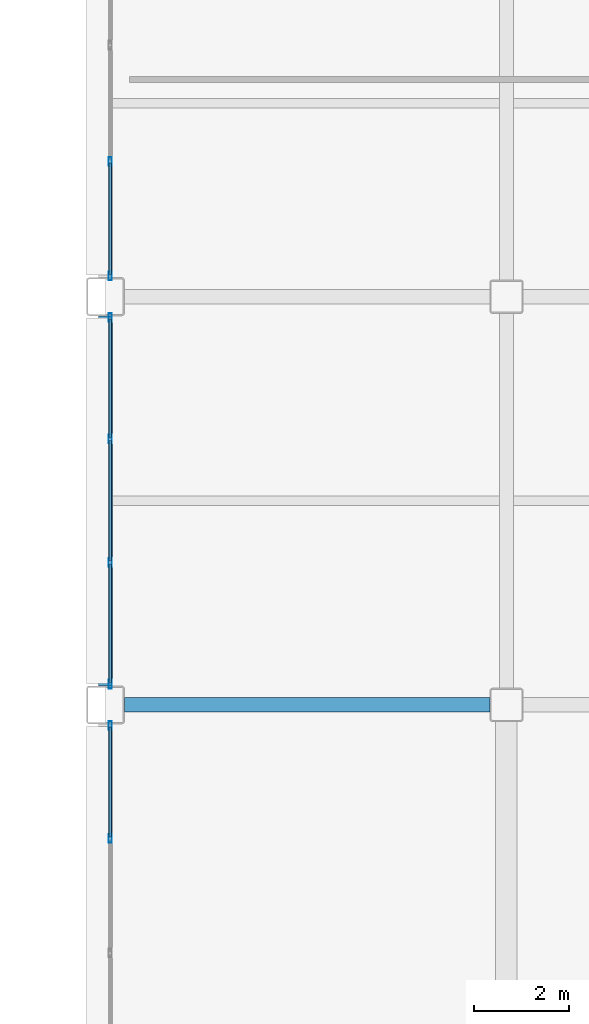
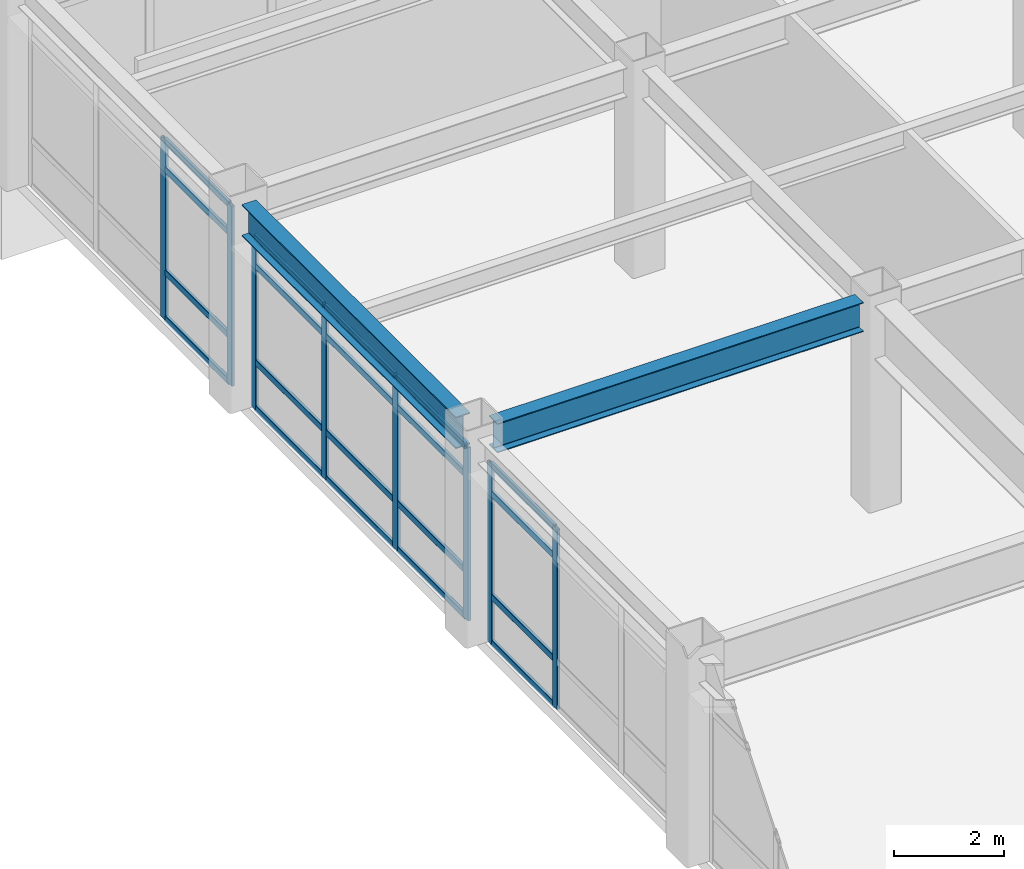
# One storey, part 117 of 172: 28 members, 2 beams, 3 elements without a shape of their own.
"""IFC4 building model written with IfcOpenShell, lengths in metres."""

from ifc_helpers import new_model, si_unit, direction, frame, origin, origin_2d, place, context, subcontext, project, spatial, hollow_rectangle, i_section, extrude, material, layer, layer_set, material_profile, profile_set, type_object, element, aggregate, save


model = new_model("IFC4")

# Units and contexts
model_context = context("Model", 3, precision=1e-05, world=origin(), true_north=direction((0.0, 1.0)))
body_context = subcontext(model_context, "Body", "Model", "MODEL_VIEW")
ifc_project = project(units=[si_unit("LENGTHUNIT", "METRE"), si_unit("AREAUNIT", "SQUARE_METRE"), si_unit("VOLUMEUNIT", "CUBIC_METRE"), si_unit("PLANEANGLEUNIT", "RADIAN"), si_unit("MASSUNIT", "GRAM", prefix="KILO")], contexts=[model_context])

# Site, building, storey
site_placement = place(None, origin())
site = spatial("IfcSite", under=ifc_project, at=site_placement, CompositionType="ELEMENT")
building_placement = place(site_placement, origin())
building = spatial("IfcBuilding", under=site, at=building_placement, Name="Kazehara Bluff Congress Hotel", CompositionType="ELEMENT")
storey_placement = place(building_placement, frame((0.0, 0.0, 5.39990234375)))
storey = spatial("IfcBuildingStorey", under=building, at=storey_placement, Name="L01", CompositionType="ELEMENT", Elevation=5.39990234375)

# Curtain wall, members
ifc_material_1 = material(Name="Anodised aluminium", Category="aluminium")
ifc_layer_1 = layer(ifc_material_1, 0.159912109375)
ifc_layer_set_1 = layer_set([ifc_layer_1], Name="Anodised aluminium")
curtain_wall_type_1 = type_object("IfcCurtainWallType", Name="TP-CW-120", PredefinedType="NOTDEFINED", material=ifc_layer_set_1)
curtain_wall_1_placement = place(storey_placement, origin())
curtain_wall_1 = element("IfcCurtainWall", 1, at=curtain_wall_1_placement, inside=storey, type_object=curtain_wall_type_1, Name="L01 curtain wall CW-120 CW-ENC-V5-L01-14380-9290", PredefinedType="NOTDEFINED")
ifc_material_2 = material(Name="Anodised aluminium", Category="aluminium")
ifc_material_profile_1 = material_profile(ifc_material_2, hollow_rectangle(XDim=0.06494140625, YDim=0.179931640625, WallThickness=0.00390625, InnerFilletRadius=0.00390625, OuterFilletRadius=0.008056640625, at=origin_2d()))
ifc_profile_set_1 = profile_set([ifc_material_profile_1], Name="Anodised aluminium")
member_type_1 = type_object("IfcMemberType", Name="TP-CWM-02", PredefinedType="MULLION", material=ifc_profile_set_1)
member_1_placement = place(storey_placement, frame((143.800048828125, 94.10009765625, 0.0), z_axis=(0.0, 0.0, 1.0), x_axis=(-1.0, 0.0, 0.0)))
member_1 = element("IfcMember", 2, at=member_1_placement, type_object=member_type_1, Name="CW-120 mullion 3", PredefinedType="MULLION", context=body_context, shape_type="SweptSolid", body=[
    extrude(hollow_rectangle(XDim=0.06494140625, YDim=0.179931640625, WallThickness=0.00390625, InnerFilletRadius=0.00390625, OuterFilletRadius=0.008056640625, at=origin_2d()), origin(), (0.0, 0.0, 1.0), 3.97509765625),
])
member_2_placement = place(storey_placement, frame((143.800048828125, 96.467529296875, 0.0), z_axis=(0.0, 0.0, 1.0), x_axis=(-1.0, 0.0, 0.0)))
member_2 = element("IfcMember", 3, at=member_2_placement, type_object=member_type_1, Name="CW-120 mullion 4", PredefinedType="MULLION", context=body_context, shape_type="SweptSolid", body=[
    extrude(hollow_rectangle(XDim=0.06494140625, YDim=0.179931640625, WallThickness=0.00390625, InnerFilletRadius=0.00390625, OuterFilletRadius=0.008056640625, at=origin_2d()), origin(), (0.0, 0.0, 1.0), 3.97509765625),
])

ifc_material_3 = material(Name="Anodised aluminium", Category="aluminium")
ifc_layer_2 = layer(ifc_material_3, 0.159912109375)
ifc_layer_set_2 = layer_set([ifc_layer_2], Name="Anodised aluminium")
curtain_wall_type_2 = type_object("IfcCurtainWallType", Name="TP-CW-123", PredefinedType="NOTDEFINED", material=ifc_layer_set_2)
curtain_wall_2_placement = place(storey_placement, origin())
curtain_wall_2 = element("IfcCurtainWall", 4, at=curtain_wall_2_placement, inside=storey, type_object=curtain_wall_type_2, Name="L01 curtain wall CW-123 CW-ENC-V5-L01-14380-10118", PredefinedType="NOTDEFINED")
member_3_placement = place(storey_placement, frame((143.800048828125, 97.33251953125, 0.0), z_axis=(0.0, 0.0, 1.0), x_axis=(-1.0, 0.0, 0.0)))
member_3 = element("IfcMember", 5, at=member_3_placement, type_object=member_type_1, Name="CW-123 mullion 1", PredefinedType="MULLION", context=body_context, shape_type="SweptSolid", body=[
    extrude(hollow_rectangle(XDim=0.06494140625, YDim=0.179931640625, WallThickness=0.00390625, InnerFilletRadius=0.00390625, OuterFilletRadius=0.008056640625, at=origin_2d()), origin(), (0.0, 0.0, 1.0), 3.8251953125),
])
member_4_placement = place(storey_placement, frame((143.800048828125, 99.88330078125, 0.0), z_axis=(0.0, 0.0, 1.0), x_axis=(-1.0, 0.0, 0.0)))
member_4 = element("IfcMember", 6, at=member_4_placement, type_object=member_type_1, Name="CW-123 mullion 2", PredefinedType="MULLION", context=body_context, shape_type="SweptSolid", body=[
    extrude(hollow_rectangle(XDim=0.06494140625, YDim=0.179931640625, WallThickness=0.00390625, InnerFilletRadius=0.00390625, OuterFilletRadius=0.008056640625, at=origin_2d()), origin(), (0.0, 0.0, 1.0), 3.8251953125),
])
member_5_placement = place(storey_placement, frame((143.800048828125, 102.466552734375, 0.0), z_axis=(0.0, 0.0, 1.0), x_axis=(-1.0, 0.0, 0.0)))
member_5 = element("IfcMember", 7, at=member_5_placement, type_object=member_type_1, Name="CW-123 mullion 3", PredefinedType="MULLION", context=body_context, shape_type="SweptSolid", body=[
    extrude(hollow_rectangle(XDim=0.06494140625, YDim=0.179931640625, WallThickness=0.00390625, InnerFilletRadius=0.00390625, OuterFilletRadius=0.008056640625, at=origin_2d()), origin(), (0.0, 0.0, 1.0), 3.8251953125),
])
member_6_placement = place(storey_placement, frame((143.800048828125, 105.017578125, 0.0), z_axis=(0.0, 0.0, 1.0), x_axis=(-1.0, 0.0, 0.0)))
member_6 = element("IfcMember", 8, at=member_6_placement, type_object=member_type_1, Name="CW-123 mullion 4", PredefinedType="MULLION", context=body_context, shape_type="SweptSolid", body=[
    extrude(hollow_rectangle(XDim=0.06494140625, YDim=0.179931640625, WallThickness=0.00390625, InnerFilletRadius=0.00390625, OuterFilletRadius=0.008056640625, at=origin_2d()), origin(), (0.0, 0.0, 1.0), 3.8251953125),
])

ifc_material_4 = material(Name="Anodised aluminium", Category="aluminium")
ifc_layer_3 = layer(ifc_material_4, 0.159912109375)
ifc_layer_set_3 = layer_set([ifc_layer_3], Name="Anodised aluminium")
curtain_wall_type_3 = type_object("IfcCurtainWallType", Name="TP-CW-124", PredefinedType="NOTDEFINED", material=ifc_layer_set_3)
curtain_wall_3_placement = place(storey_placement, origin())
curtain_wall_3 = element("IfcCurtainWall", 9, at=curtain_wall_3_placement, inside=storey, type_object=curtain_wall_type_3, Name="L01 curtain wall CW-124 CW-ENC-V5-L01-14380-10950", PredefinedType="NOTDEFINED")
member_7_placement = place(storey_placement, frame((143.800048828125, 105.882568359375, 0.0), z_axis=(0.0, 0.0, 1.0), x_axis=(-1.0, 0.0, 0.0)))
member_7 = element("IfcMember", 10, at=member_7_placement, type_object=member_type_1, Name="CW-124 mullion 1", PredefinedType="MULLION", context=body_context, shape_type="SweptSolid", body=[
    extrude(hollow_rectangle(XDim=0.06494140625, YDim=0.179931640625, WallThickness=0.00390625, InnerFilletRadius=0.00390625, OuterFilletRadius=0.008056640625, at=origin_2d()), origin(), (0.0, 0.0, 1.0), 3.97509765625),
])
member_8_placement = place(storey_placement, frame((143.800048828125, 108.283447265625, 0.0), z_axis=(0.0, 0.0, 1.0), x_axis=(-1.0, 0.0, 0.0)))
member_8 = element("IfcMember", 11, at=member_8_placement, type_object=member_type_1, Name="CW-124 mullion 2", PredefinedType="MULLION", context=body_context, shape_type="SweptSolid", body=[
    extrude(hollow_rectangle(XDim=0.06494140625, YDim=0.179931640625, WallThickness=0.00390625, InnerFilletRadius=0.00390625, OuterFilletRadius=0.008056640625, at=origin_2d()), origin(), (0.0, 0.0, 1.0), 3.97509765625),
])

# Member
ifc_material_5 = material(Name="Anodised aluminium", Category="aluminium")
ifc_material_profile_2 = material_profile(ifc_material_5, hollow_rectangle(XDim=0.06494140625, YDim=0.139892578125, WallThickness=0.00390625, InnerFilletRadius=0.00390625, OuterFilletRadius=0.008056640625, at=origin_2d()))
ifc_profile_set_2 = profile_set([ifc_material_profile_2], Name="Anodised aluminium")
member_type_2 = type_object("IfcMemberType", Name="TP-CWT-02", PredefinedType="USERDEFINED", material=ifc_profile_set_2)
member_9_placement = place(storey_placement, frame((143.800048828125, 94.132568359375, 0.03271484375), z_axis=(0.0, 1.0, 0.0), x_axis=(-1.0, 0.0, 0.0)))
member_9 = element("IfcMember", 12, at=member_9_placement, type_object=member_type_2, Name="CW-120 transom 3.1", ObjectType="TRANSOM", PredefinedType="USERDEFINED", context=body_context, shape_type="SweptSolid", body=[
    extrude(hollow_rectangle(XDim=0.06494140625, YDim=0.139892578125, WallThickness=0.00390625, InnerFilletRadius=0.00390625, OuterFilletRadius=0.008056640625, at=origin_2d()), origin(), (0.0, 0.0, 1.0), 2.302490234375),
])

member_10_placement = place(storey_placement, frame((143.800048828125, 94.132568359375, 1.050048828125), z_axis=(0.0, 1.0, 0.0), x_axis=(-1.0, 0.0, 0.0)))
member_10 = element("IfcMember", 13, at=member_10_placement, type_object=member_type_2, Name="CW-120 transom 3.2", ObjectType="TRANSOM", PredefinedType="USERDEFINED", context=body_context, shape_type="SweptSolid", body=[
    extrude(hollow_rectangle(XDim=0.06494140625, YDim=0.139892578125, WallThickness=0.00390625, InnerFilletRadius=0.00390625, OuterFilletRadius=0.008056640625, at=origin_2d()), origin(), (0.0, 0.0, 1.0), 2.302490234375),
])

member_11_placement = place(storey_placement, frame((143.800048828125, 94.132568359375, 3.3251953125), z_axis=(0.0, 1.0, 0.0), x_axis=(-1.0, 0.0, 0.0)))
member_11 = element("IfcMember", 14, at=member_11_placement, type_object=member_type_2, Name="CW-120 transom 3.3", ObjectType="TRANSOM", PredefinedType="USERDEFINED", context=body_context, shape_type="SweptSolid", body=[
    extrude(hollow_rectangle(XDim=0.06494140625, YDim=0.139892578125, WallThickness=0.00390625, InnerFilletRadius=0.00390625, OuterFilletRadius=0.008056640625, at=origin_2d()), origin(), (0.0, 0.0, 1.0), 2.302490234375),
])

member_12_placement = place(storey_placement, frame((143.800048828125, 94.132568359375, 3.942626953125), z_axis=(0.0, 1.0, 0.0), x_axis=(-1.0, 0.0, 0.0)))
member_12 = element("IfcMember", 15, at=member_12_placement, type_object=member_type_2, Name="CW-120 transom 3.4", ObjectType="TRANSOM", PredefinedType="USERDEFINED", context=body_context, shape_type="SweptSolid", body=[
    extrude(hollow_rectangle(XDim=0.06494140625, YDim=0.139892578125, WallThickness=0.00390625, InnerFilletRadius=0.00390625, OuterFilletRadius=0.008056640625, at=origin_2d()), origin(), (0.0, 0.0, 1.0), 2.302490234375),
])

aggregate(curtain_wall_1, [member_1, member_2, member_9, member_10, member_11, member_12])

member_13_placement = place(storey_placement, frame((143.800048828125, 97.364990234375, 0.03271484375), z_axis=(0.0, 1.0, 0.0), x_axis=(-1.0, 0.0, 0.0)))
member_13 = element("IfcMember", 16, at=member_13_placement, type_object=member_type_2, Name="CW-123 transom 1.1", ObjectType="TRANSOM", PredefinedType="USERDEFINED", context=body_context, shape_type="SweptSolid", body=[
    extrude(hollow_rectangle(XDim=0.06494140625, YDim=0.139892578125, WallThickness=0.00390625, InnerFilletRadius=0.00390625, OuterFilletRadius=0.008056640625, at=origin_2d()), origin(), (0.0, 0.0, 1.0), 2.48583984375),
])

member_14_placement = place(storey_placement, frame((143.800048828125, 97.364990234375, 1.050048828125), z_axis=(0.0, 1.0, 0.0), x_axis=(-1.0, 0.0, 0.0)))
member_14 = element("IfcMember", 17, at=member_14_placement, type_object=member_type_2, Name="CW-123 transom 1.2", ObjectType="TRANSOM", PredefinedType="USERDEFINED", context=body_context, shape_type="SweptSolid", body=[
    extrude(hollow_rectangle(XDim=0.06494140625, YDim=0.139892578125, WallThickness=0.00390625, InnerFilletRadius=0.00390625, OuterFilletRadius=0.008056640625, at=origin_2d()), origin(), (0.0, 0.0, 1.0), 2.48583984375),
])

member_15_placement = place(storey_placement, frame((143.800048828125, 97.364990234375, 3.175048828125), z_axis=(0.0, 1.0, 0.0), x_axis=(-1.0, 0.0, 0.0)))
member_15 = element("IfcMember", 18, at=member_15_placement, type_object=member_type_2, Name="CW-123 transom 1.3", ObjectType="TRANSOM", PredefinedType="USERDEFINED", context=body_context, shape_type="SweptSolid", body=[
    extrude(hollow_rectangle(XDim=0.06494140625, YDim=0.139892578125, WallThickness=0.00390625, InnerFilletRadius=0.00390625, OuterFilletRadius=0.008056640625, at=origin_2d()), origin(), (0.0, 0.0, 1.0), 2.48583984375),
])

member_16_placement = place(storey_placement, frame((143.800048828125, 97.364990234375, 3.79248046875), z_axis=(0.0, 1.0, 0.0), x_axis=(-1.0, 0.0, 0.0)))
member_16 = element("IfcMember", 19, at=member_16_placement, type_object=member_type_2, Name="CW-123 transom 1.4", ObjectType="TRANSOM", PredefinedType="USERDEFINED", context=body_context, shape_type="SweptSolid", body=[
    extrude(hollow_rectangle(XDim=0.06494140625, YDim=0.139892578125, WallThickness=0.00390625, InnerFilletRadius=0.00390625, OuterFilletRadius=0.008056640625, at=origin_2d()), origin(), (0.0, 0.0, 1.0), 2.48583984375),
])

member_17_placement = place(storey_placement, frame((143.800048828125, 99.915771484375, 0.03271484375), z_axis=(0.0, 1.0, 0.0), x_axis=(-1.0, 0.0, 0.0)))
member_17 = element("IfcMember", 20, at=member_17_placement, type_object=member_type_2, Name="CW-123 transom 2.1", ObjectType="TRANSOM", PredefinedType="USERDEFINED", context=body_context, shape_type="SweptSolid", body=[
    extrude(hollow_rectangle(XDim=0.06494140625, YDim=0.139892578125, WallThickness=0.00390625, InnerFilletRadius=0.00390625, OuterFilletRadius=0.008056640625, at=origin_2d()), origin(), (0.0, 0.0, 1.0), 2.518310546875),
])

member_18_placement = place(storey_placement, frame((143.800048828125, 99.915771484375, 1.050048828125), z_axis=(0.0, 1.0, 0.0), x_axis=(-1.0, 0.0, 0.0)))
member_18 = element("IfcMember", 21, at=member_18_placement, type_object=member_type_2, Name="CW-123 transom 2.2", ObjectType="TRANSOM", PredefinedType="USERDEFINED", context=body_context, shape_type="SweptSolid", body=[
    extrude(hollow_rectangle(XDim=0.06494140625, YDim=0.139892578125, WallThickness=0.00390625, InnerFilletRadius=0.00390625, OuterFilletRadius=0.008056640625, at=origin_2d()), origin(), (0.0, 0.0, 1.0), 2.518310546875),
])

member_19_placement = place(storey_placement, frame((143.800048828125, 99.915771484375, 3.175048828125), z_axis=(0.0, 1.0, 0.0), x_axis=(-1.0, 0.0, 0.0)))
member_19 = element("IfcMember", 22, at=member_19_placement, type_object=member_type_2, Name="CW-123 transom 2.3", ObjectType="TRANSOM", PredefinedType="USERDEFINED", context=body_context, shape_type="SweptSolid", body=[
    extrude(hollow_rectangle(XDim=0.06494140625, YDim=0.139892578125, WallThickness=0.00390625, InnerFilletRadius=0.00390625, OuterFilletRadius=0.008056640625, at=origin_2d()), origin(), (0.0, 0.0, 1.0), 2.518310546875),
])

member_20_placement = place(storey_placement, frame((143.800048828125, 99.915771484375, 3.79248046875), z_axis=(0.0, 1.0, 0.0), x_axis=(-1.0, 0.0, 0.0)))
member_20 = element("IfcMember", 23, at=member_20_placement, type_object=member_type_2, Name="CW-123 transom 2.4", ObjectType="TRANSOM", PredefinedType="USERDEFINED", context=body_context, shape_type="SweptSolid", body=[
    extrude(hollow_rectangle(XDim=0.06494140625, YDim=0.139892578125, WallThickness=0.00390625, InnerFilletRadius=0.00390625, OuterFilletRadius=0.008056640625, at=origin_2d()), origin(), (0.0, 0.0, 1.0), 2.518310546875),
])

member_21_placement = place(storey_placement, frame((143.800048828125, 102.499267578125, 0.03271484375), z_axis=(0.0, 1.0, 0.0), x_axis=(-1.0, 0.0, 0.0)))
member_21 = element("IfcMember", 24, at=member_21_placement, type_object=member_type_2, Name="CW-123 transom 3.1", ObjectType="TRANSOM", PredefinedType="USERDEFINED", context=body_context, shape_type="SweptSolid", body=[
    extrude(hollow_rectangle(XDim=0.06494140625, YDim=0.139892578125, WallThickness=0.00390625, InnerFilletRadius=0.00390625, OuterFilletRadius=0.008056640625, at=origin_2d()), origin(), (0.0, 0.0, 1.0), 2.48583984375),
])

member_22_placement = place(storey_placement, frame((143.800048828125, 102.499267578125, 1.050048828125), z_axis=(0.0, 1.0, 0.0), x_axis=(-1.0, 0.0, 0.0)))
member_22 = element("IfcMember", 25, at=member_22_placement, type_object=member_type_2, Name="CW-123 transom 3.2", ObjectType="TRANSOM", PredefinedType="USERDEFINED", context=body_context, shape_type="SweptSolid", body=[
    extrude(hollow_rectangle(XDim=0.06494140625, YDim=0.139892578125, WallThickness=0.00390625, InnerFilletRadius=0.00390625, OuterFilletRadius=0.008056640625, at=origin_2d()), origin(), (0.0, 0.0, 1.0), 2.48583984375),
])

member_23_placement = place(storey_placement, frame((143.800048828125, 102.499267578125, 3.175048828125), z_axis=(0.0, 1.0, 0.0), x_axis=(-1.0, 0.0, 0.0)))
member_23 = element("IfcMember", 26, at=member_23_placement, type_object=member_type_2, Name="CW-123 transom 3.3", ObjectType="TRANSOM", PredefinedType="USERDEFINED", context=body_context, shape_type="SweptSolid", body=[
    extrude(hollow_rectangle(XDim=0.06494140625, YDim=0.139892578125, WallThickness=0.00390625, InnerFilletRadius=0.00390625, OuterFilletRadius=0.008056640625, at=origin_2d()), origin(), (0.0, 0.0, 1.0), 2.48583984375),
])

member_24_placement = place(storey_placement, frame((143.800048828125, 102.499267578125, 3.79248046875), z_axis=(0.0, 1.0, 0.0), x_axis=(-1.0, 0.0, 0.0)))
member_24 = element("IfcMember", 27, at=member_24_placement, type_object=member_type_2, Name="CW-123 transom 3.4", ObjectType="TRANSOM", PredefinedType="USERDEFINED", context=body_context, shape_type="SweptSolid", body=[
    extrude(hollow_rectangle(XDim=0.06494140625, YDim=0.139892578125, WallThickness=0.00390625, InnerFilletRadius=0.00390625, OuterFilletRadius=0.008056640625, at=origin_2d()), origin(), (0.0, 0.0, 1.0), 2.48583984375),
])

aggregate(curtain_wall_2, [member_3, member_4, member_5, member_6, member_13, member_14, member_15, member_16, member_17, member_18, member_19, member_20, member_21, member_22, member_23, member_24])

member_25_placement = place(storey_placement, frame((143.800048828125, 105.9150390625, 0.03271484375), z_axis=(0.0, 1.0, 0.0), x_axis=(-1.0, 0.0, 0.0)))
member_25 = element("IfcMember", 28, at=member_25_placement, type_object=member_type_2, Name="CW-124 transom 1.1", ObjectType="TRANSOM", PredefinedType="USERDEFINED", context=body_context, shape_type="SweptSolid", body=[
    extrude(hollow_rectangle(XDim=0.06494140625, YDim=0.139892578125, WallThickness=0.00390625, InnerFilletRadius=0.00390625, OuterFilletRadius=0.008056640625, at=origin_2d()), origin(), (0.0, 0.0, 1.0), 2.335693359375),
])

member_26_placement = place(storey_placement, frame((143.800048828125, 105.9150390625, 1.050048828125), z_axis=(0.0, 1.0, 0.0), x_axis=(-1.0, 0.0, 0.0)))
member_26 = element("IfcMember", 29, at=member_26_placement, type_object=member_type_2, Name="CW-124 transom 1.2", ObjectType="TRANSOM", PredefinedType="USERDEFINED", context=body_context, shape_type="SweptSolid", body=[
    extrude(hollow_rectangle(XDim=0.06494140625, YDim=0.139892578125, WallThickness=0.00390625, InnerFilletRadius=0.00390625, OuterFilletRadius=0.008056640625, at=origin_2d()), origin(), (0.0, 0.0, 1.0), 2.335693359375),
])

member_27_placement = place(storey_placement, frame((143.800048828125, 105.9150390625, 3.3251953125), z_axis=(0.0, 1.0, 0.0), x_axis=(-1.0, 0.0, 0.0)))
member_27 = element("IfcMember", 30, at=member_27_placement, type_object=member_type_2, Name="CW-124 transom 1.3", ObjectType="TRANSOM", PredefinedType="USERDEFINED", context=body_context, shape_type="SweptSolid", body=[
    extrude(hollow_rectangle(XDim=0.06494140625, YDim=0.139892578125, WallThickness=0.00390625, InnerFilletRadius=0.00390625, OuterFilletRadius=0.008056640625, at=origin_2d()), origin(), (0.0, 0.0, 1.0), 2.335693359375),
])

member_28_placement = place(storey_placement, frame((143.800048828125, 105.9150390625, 3.942626953125), z_axis=(0.0, 1.0, 0.0), x_axis=(-1.0, 0.0, 0.0)))
member_28 = element("IfcMember", 31, at=member_28_placement, type_object=member_type_2, Name="CW-124 transom 1.4", ObjectType="TRANSOM", PredefinedType="USERDEFINED", context=body_context, shape_type="SweptSolid", body=[
    extrude(hollow_rectangle(XDim=0.06494140625, YDim=0.139892578125, WallThickness=0.00390625, InnerFilletRadius=0.00390625, OuterFilletRadius=0.008056640625, at=origin_2d()), origin(), (0.0, 0.0, 1.0), 2.335693359375),
])

aggregate(curtain_wall_3, [member_7, member_8, member_25, member_26, member_27, member_28])

# Beams
ifc_material_6 = material(Name="Steel SN490B", Category="steel")
ifc_material_profile_3 = material_profile(ifc_material_6, i_section(OverallWidth=0.300048828125, OverallDepth=0.64990234375, WebThickness=0.011962890625, FlangeThickness=0.02001953125, FilletRadius=0.012939453125, at=origin_2d()))
ifc_profile_set_3 = profile_set([ifc_material_profile_3], Name="Steel SN490B")
beam_type_1 = type_object("IfcBeamType", Name="TP-G-03", PredefinedType="BEAM", material=ifc_profile_set_3)
beam_1_placement = place(storey_placement, frame((144.10009765625, 96.89990234375, 4.22509765625), z_axis=(1.0, 0.0, 0.0), x_axis=(0.0, 1.0, 0.0)))
element("IfcBeam", 32, at=beam_1_placement, inside=storey, type_object=beam_type_1, Name="L01 girder G-03 310", PredefinedType="BEAM", context=body_context, shape_type="SweptSolid", body=[
    extrude(i_section(OverallWidth=0.300048828125, OverallDepth=0.64990234375, WebThickness=0.011962890625, FlangeThickness=0.02001953125, FilletRadius=0.012939453125, at=origin_2d()), origin(), (0.0, 0.0, 1.0), 7.64990234375),
])
ifc_material_7 = material(Name="Steel SN490B", Category="steel")
ifc_material_profile_4 = material_profile(ifc_material_7, i_section(OverallWidth=0.300048828125, OverallDepth=0.699951171875, WebThickness=0.012939453125, FlangeThickness=0.02392578125, FilletRadius=0.01806640625, at=origin_2d()))
ifc_profile_set_4 = profile_set([ifc_material_profile_4], Name="Steel SN490B")
beam_type_2 = type_object("IfcBeamType", Name="TP-SP-03", PredefinedType="SPANDREL", material=ifc_profile_set_4)
beam_2_placement = place(storey_placement, frame((143.699951171875, 97.300048828125, 4.2001953125), z_axis=(0.0, 1.0, 0.0), x_axis=(-1.0, 0.0, 0.0)))
element("IfcBeam", 33, at=beam_2_placement, inside=storey, type_object=beam_type_2, Name="L01 girder SP-03 240", PredefinedType="SPANDREL", context=body_context, shape_type="SweptSolid", body=[
    extrude(i_section(OverallWidth=0.300048828125, OverallDepth=0.699951171875, WebThickness=0.012939453125, FlangeThickness=0.02392578125, FilletRadius=0.01806640625, at=origin_2d()), origin(), (0.0, 0.0, 1.0), 7.75),
])

save(model, "model.ifc")
